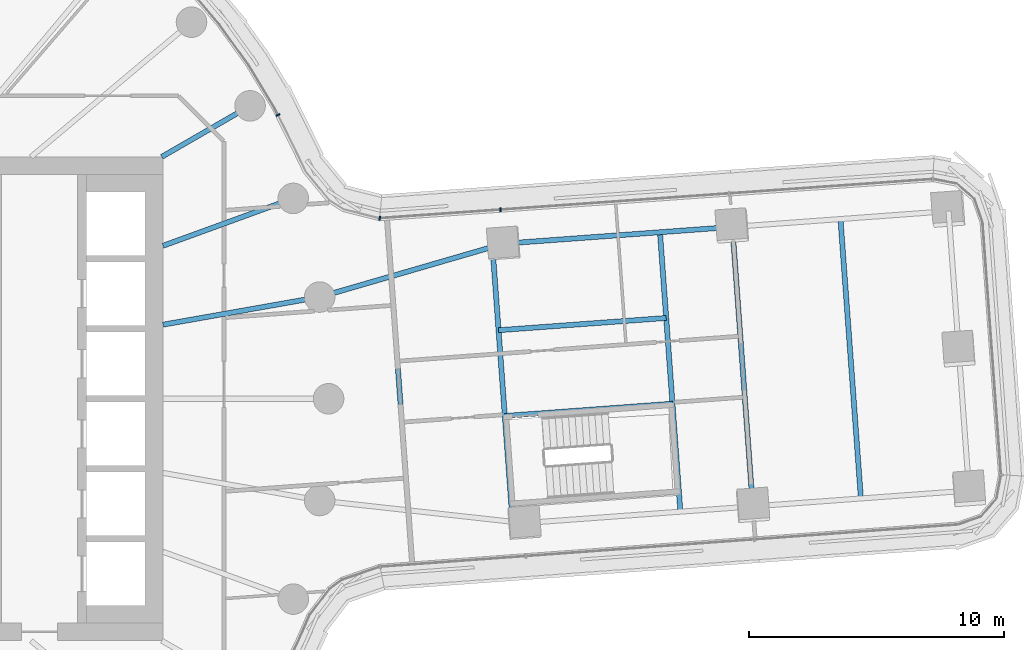
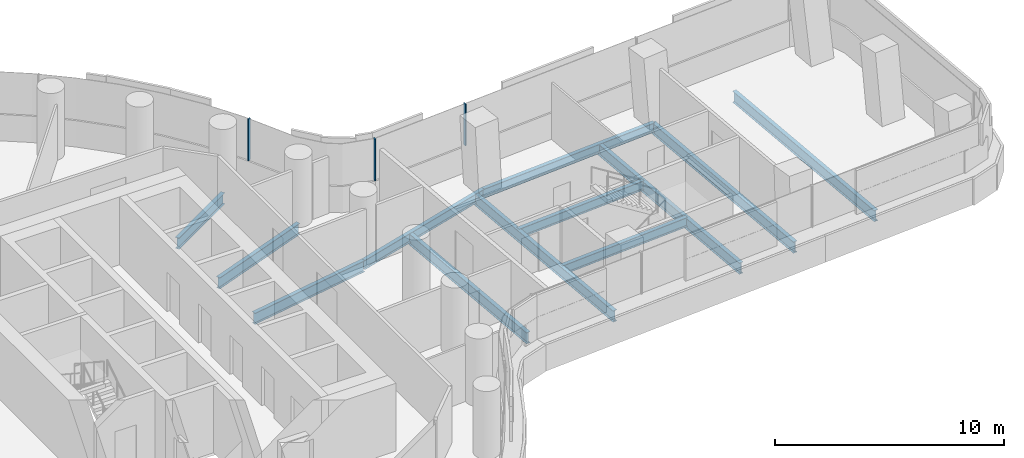
# One storey, part 11 of 31: 12 beams, 3 members, 2 elements without a shape of their own.
"""IFC4 building model written with IfcOpenShell, lengths in metres."""

from ifc_helpers import new_model, si_unit, direction, frame, origin, origin_2d, place, context, subcontext, project, spatial, rectangle, i_section, extrude, material, layer, layer_set, material_profile, profile_set, type_object, element, aggregate, save


model = new_model("IFC4")

# Units and contexts
model_context = context("Model", 3, precision=1e-05, world=origin(), true_north=direction((0.0, 1.0)))
body_context = subcontext(model_context, "Body", "Model", "MODEL_VIEW")
ifc_project = project(units=[si_unit("LENGTHUNIT", "METRE"), si_unit("AREAUNIT", "SQUARE_METRE"), si_unit("VOLUMEUNIT", "CUBIC_METRE"), si_unit("PLANEANGLEUNIT", "RADIAN"), si_unit("MASSUNIT", "GRAM", prefix="KILO")], contexts=[model_context])

# Site, building, storey
site_placement = place(None, origin())
site = spatial("IfcSite", under=ifc_project, at=site_placement, CompositionType="ELEMENT")
building_placement = place(site_placement, origin())
building = spatial("IfcBuilding", under=site, at=building_placement, Name="Tamarind Cross Interchange Tower", CompositionType="ELEMENT")
storey_placement = place(building_placement, frame((0.0, 0.0, 49.0)))
storey = spatial("IfcBuildingStorey", under=building, at=storey_placement, Name="L10", CompositionType="ELEMENT", Elevation=49.0)

# Beams
ifc_material_1 = material(Name="Steel Q355B", Category="steel")
ifc_material_profile_1 = material_profile(ifc_material_1, i_section(OverallWidth=0.198974609375, OverallDepth=0.49609375, WebThickness=0.009033203125, FlangeThickness=0.013916015625, FilletRadius=0.012939453125, at=origin_2d()), Name="HN 496x199x9x14")
ifc_profile_set_1 = profile_set([ifc_material_profile_1], Name="Steel Q355B")
beam_type_1 = type_object("IfcBeamType", Name="Composite beam HN 496x199x9x14 Q355B", PredefinedType="BEAM", material=ifc_profile_set_1)
beam_1_placement = place(storey_placement, frame((38.853271484375, 6.74609375, -0.387939453125), z_axis=(-0.997341999654, -0.072862443863, 0.0), x_axis=(0.072862443863, -0.997341999654, 0.0)))
element("IfcBeam", 1, at=beam_1_placement, inside=storey, type_object=beam_type_1, Name="Beam E-edgeep3", PredefinedType="BEAM", context=body_context, shape_type="SweptSolid", body=[
    extrude(i_section(OverallWidth=0.198974609375, OverallDepth=0.49609375, WebThickness=0.009033203125, FlangeThickness=0.013916015625, FilletRadius=0.012939453125, at=origin_2d()), origin(), (0.0, 0.0, 1.0), 9.0),
])
beam_2_placement = place(storey_placement, frame((29.877197265625, 6.09033203125, -0.387939453125), z_axis=(-0.960403096334, -0.278614236089, 0.0), x_axis=(0.278614236089, -0.960403096334, 0.0)))
element("IfcBeam", 2, at=beam_2_placement, inside=storey, type_object=beam_type_1, Name="Beam E-linkep", PredefinedType="BEAM", context=body_context, shape_type="SweptSolid", body=[
    extrude(i_section(OverallWidth=0.198974609375, OverallDepth=0.49609375, WebThickness=0.009033203125, FlangeThickness=0.013916015625, FilletRadius=0.012939453125, at=origin_2d()), origin(), (0.0, 0.0, 1.0), 7.5244140625),
])
for number, where, z_axis, x_axis, name in (
    (3, (29.920166015625, -0.674560546875, -0.387939453125), (0.997341335164, 0.072871538843, 0.0), (-0.072871538843, 0.997341335164, 0.0), "Beam E-tr1"),
    (4, (29.67431640625, 2.69140625, -0.387939453125), (0.997341335164, 0.072871538843, 0.0), (-0.072871538843, 0.997341335164, 0.0), "Beam E-stripp"),
):
    element("IfcBeam", number, at=place(storey_placement, frame(where, z_axis=z_axis, x_axis=x_axis)), inside=storey, type_object=beam_type_1, Name=name, PredefinedType="BEAM", context=body_context, shape_type="SweptSolid", body=[
        extrude(i_section(OverallWidth=0.198974609375, OverallDepth=0.49609375, WebThickness=0.009033203125, FlangeThickness=0.013916015625, FilletRadius=0.012939453125, at=origin_2d()), origin(), (0.0, 0.0, 1.0), 6.60009765625),
    ])
ifc_material_profile_2 = material_profile(ifc_material_1, i_section(OverallWidth=0.198974609375, OverallDepth=0.595947265625, WebThickness=0.010009765625, FlangeThickness=0.014892578125, FilletRadius=0.012939453125, at=origin_2d()), Name="HN 596x199x10x15")
ifc_profile_set_2 = profile_set([ifc_material_profile_2], Name="Steel Q355B")
beam_type_2 = type_object("IfcBeamType", Name="Composite beam HN 596x199x10x15 Q355B", PredefinedType="BEAM", material=ifc_profile_set_2)
beam_3_placement = place(storey_placement, frame((22.650634765625, 3.993896484375, -0.43798828125), z_axis=(-0.984809127561, -0.173640382036, 0.0), x_axis=(0.173640382036, -0.984809127561, 0.0)))
element("IfcBeam", 5, at=beam_3_placement, inside=storey, type_object=beam_type_2, Name="Beam HH01", PredefinedType="BEAM", context=body_context, shape_type="SweptSolid", body=[
    extrude(i_section(OverallWidth=0.198974609375, OverallDepth=0.595947265625, WebThickness=0.010009765625, FlangeThickness=0.014892578125, FilletRadius=0.012939453125, at=origin_2d()), origin(), (0.0, 0.0, 1.0), 6.24560546875),
])
beam_4_placement = place(storey_placement, frame((21.613037109375, 7.866455078125, -0.43798828125), z_axis=(-0.939701685589, -0.341995236956, 0.0), x_axis=(0.341995236956, -0.939701685589, 0.0)))
element("IfcBeam", 6, at=beam_4_placement, inside=storey, type_object=beam_type_2, Name="Beam HH02", PredefinedType="BEAM", context=body_context, shape_type="SweptSolid", body=[
    extrude(i_section(OverallWidth=0.198974609375, OverallDepth=0.595947265625, WebThickness=0.010009765625, FlangeThickness=0.014892578125, FilletRadius=0.012939453125, at=origin_2d()), origin(), (0.0, 0.0, 1.0), 5.441162109375),
])
beam_5_placement = place(storey_placement, frame((19.918701171875, 11.5, -0.43798828125), z_axis=(-0.866026010844, -0.49999894854, 0.0), x_axis=(0.49999894854, -0.866026010844, 0.0)))
element("IfcBeam", 7, at=beam_5_placement, inside=storey, type_object=beam_type_2, Name="Beam HH03", PredefinedType="BEAM", context=body_context, shape_type="SweptSolid", body=[
    extrude(i_section(OverallWidth=0.198974609375, OverallDepth=0.595947265625, WebThickness=0.010009765625, FlangeThickness=0.014892578125, FilletRadius=0.012939453125, at=origin_2d()), origin(), (0.0, 0.0, 1.0), 4.0),
])
ifc_material_profile_3 = material_profile(ifc_material_1, i_section(OverallWidth=0.199951171875, OverallDepth=0.60009765625, WebThickness=0.010986328125, FlangeThickness=0.01708984375, FilletRadius=0.012939453125, at=origin_2d()), Name="HN 600x200x11x17")
ifc_profile_set_3 = profile_set([ifc_material_profile_3], Name="Steel Q355B")
beam_type_3 = type_object("IfcBeamType", Name="Composite beam HN 600x200x11x17 Q355B", PredefinedType="BEAM", material=ifc_profile_set_3)
beam_6_placement = place(storey_placement, frame((30.223876953125, -4.830322265625, -0.43994140625), z_axis=(-0.072872737405, 0.997341247589, 0.0), x_axis=(-0.997341247589, -0.072872737405, 0.0)))
element("IfcBeam", 8, at=beam_6_placement, inside=storey, type_object=beam_type_3, Name="Beam E-x298", PredefinedType="BEAM", context=body_context, shape_type="SweptSolid", body=[
    extrude(i_section(OverallWidth=0.199951171875, OverallDepth=0.60009765625, WebThickness=0.010986328125, FlangeThickness=0.01708984375, FilletRadius=0.012939453125, at=origin_2d()), origin(), (0.0, 0.0, 1.0), 10.8212890625),
])
for number, where, z_axis, x_axis, name in (
    (9, (36.8125, -4.432373046875, -0.43994140625), (-0.072887332088, 0.997340181092, 0.0), (-0.997340181092, -0.072887332088, 0.0), "Beam E-x364"),
    (10, (39.65478515625, -4.224609375, -0.43994140625), (-0.072865255264, 0.997341794259, 0.0), (-0.997341794259, -0.072865255264, 0.0), "Beam E-x393"),
):
    element("IfcBeam", number, at=place(storey_placement, frame(where, z_axis=z_axis, x_axis=x_axis)), inside=storey, type_object=beam_type_3, Name=name, PredefinedType="BEAM", context=body_context, shape_type="SweptSolid", body=[
        extrude(i_section(OverallWidth=0.199951171875, OverallDepth=0.60009765625, WebThickness=0.010986328125, FlangeThickness=0.01708984375, FilletRadius=0.012939453125, at=origin_2d()), origin(), (0.0, 0.0, 1.0), 11.0),
    ])
beam_7_placement = place(storey_placement, frame((26.130126953125, -4.378173828125, -0.43994140625), z_axis=(-0.072887545645, 0.997340165485, 0.0), x_axis=(-0.997340165485, -0.072887545645, 0.0)))
element("IfcBeam", 11, at=beam_7_placement, inside=storey, type_object=beam_type_3, Name="Beam E-x258", PredefinedType="BEAM", context=body_context, shape_type="SweptSolid", body=[
    extrude(i_section(OverallWidth=0.199951171875, OverallDepth=0.60009765625, WebThickness=0.010986328125, FlangeThickness=0.01708984375, FilletRadius=0.012939453125, at=origin_2d()), origin(), (0.0, 0.0, 1.0), 9.211181640625),
])
beam_8_placement = place(storey_placement, frame((43.89990234375, -3.91455078125, -0.43994140625), z_axis=(-0.072885718715, 0.997340298999, 0.0), x_axis=(-0.997340298999, -0.072885718715, 0.0)))
element("IfcBeam", 12, at=beam_8_placement, inside=storey, type_object=beam_type_3, Name="Beam E-x436", PredefinedType="BEAM", context=body_context, shape_type="SweptSolid", body=[
    extrude(i_section(OverallWidth=0.199951171875, OverallDepth=0.60009765625, WebThickness=0.010986328125, FlangeThickness=0.01708984375, FilletRadius=0.012939453125, at=origin_2d()), origin(), (0.0, 0.0, 1.0), 11.000244140625),
])

# Curtain wall, member
ifc_material_2 = material(Name="Aluminium 6063-T6", Category="aluminium")
ifc_layer = layer(ifc_material_2, 0.159912109375)
ifc_layer_set = layer_set([ifc_layer], Name="Aluminium 6063-T6")
curtain_wall_type = type_object("IfcCurtainWallType", Name="Office curtain wall, 9.0 m bays", PredefinedType="NOTDEFINED", material=ifc_layer_set)
curtain_wall_1_placement = place(storey_placement, origin())
curtain_wall_1 = element("IfcCurtainWall", 13, at=curtain_wall_1_placement, inside=storey, type_object=curtain_wall_type, Name="CWS-L10-13", PredefinedType="NOTDEFINED")
ifc_material_profile_4 = material_profile(ifc_material_2, rectangle(XDim=0.06005859375, YDim=0.159912109375, at=origin_2d()), Name="Mullion CW1")
ifc_profile_set_4 = profile_set([ifc_material_profile_4], Name="Aluminium 6063-T6")
member_type = type_object("IfcMemberType", Name="Mullion CW1", PredefinedType="MULLION", material=ifc_profile_set_4)
member_1_placement = place(storey_placement, frame((29.748779296875, 7.42333984375, 1.39990234375), z_axis=(0.0, 0.0, 1.0), x_axis=(-0.997505146966, -0.070593780008, 0.0)))
member_1 = element("IfcMember", 14, at=member_1_placement, type_object=member_type, Name="CWM-L10-13-02", PredefinedType="MULLION", context=body_context, shape_type="SweptSolid", body=[
    extrude(rectangle(XDim=0.06005859375, YDim=0.159912109375, at=origin_2d()), origin(), (0.0, 0.0, 1.0), 2.210205078125),
])
aggregate(curtain_wall_1, [member_1])

# Curtain wall, members
curtain_wall_2_placement = place(storey_placement, origin())
curtain_wall_2 = element("IfcCurtainWall", 15, at=curtain_wall_2_placement, inside=storey, type_object=curtain_wall_type, Name="CWS-L10-14", PredefinedType="NOTDEFINED")
member_2_placement = place(storey_placement, frame((25.01025390625, 7.088134765625, 1.39990234375), z_axis=(0.0, 0.0, 1.0), x_axis=(-0.996203394169, 0.087056288957, 0.0)))
member_2 = element("IfcMember", 16, at=member_2_placement, type_object=member_type, Name="CWM-L10-14-00", PredefinedType="MULLION", context=body_context, shape_type="SweptSolid", body=[
    extrude(rectangle(XDim=0.06005859375, YDim=0.159912109375, at=origin_2d()), origin(), (0.0, 0.0, 1.0), 2.210205078125),
])
member_3_placement = place(storey_placement, frame((21.014404296875, 11.14111328125, 1.39990234375), z_axis=(0.0, 0.0, 1.0), x_axis=(-0.443058811505, 0.896492548518, 0.0)))
member_3 = element("IfcMember", 17, at=member_3_placement, type_object=member_type, Name="CWM-L10-14-01", PredefinedType="MULLION", context=body_context, shape_type="SweptSolid", body=[
    extrude(rectangle(XDim=0.06005859375, YDim=0.159912109375, at=origin_2d()), origin(), (0.0, 0.0, 1.0), 2.210205078125),
])
aggregate(curtain_wall_2, [member_2, member_3])

save(model, "model.ifc")
